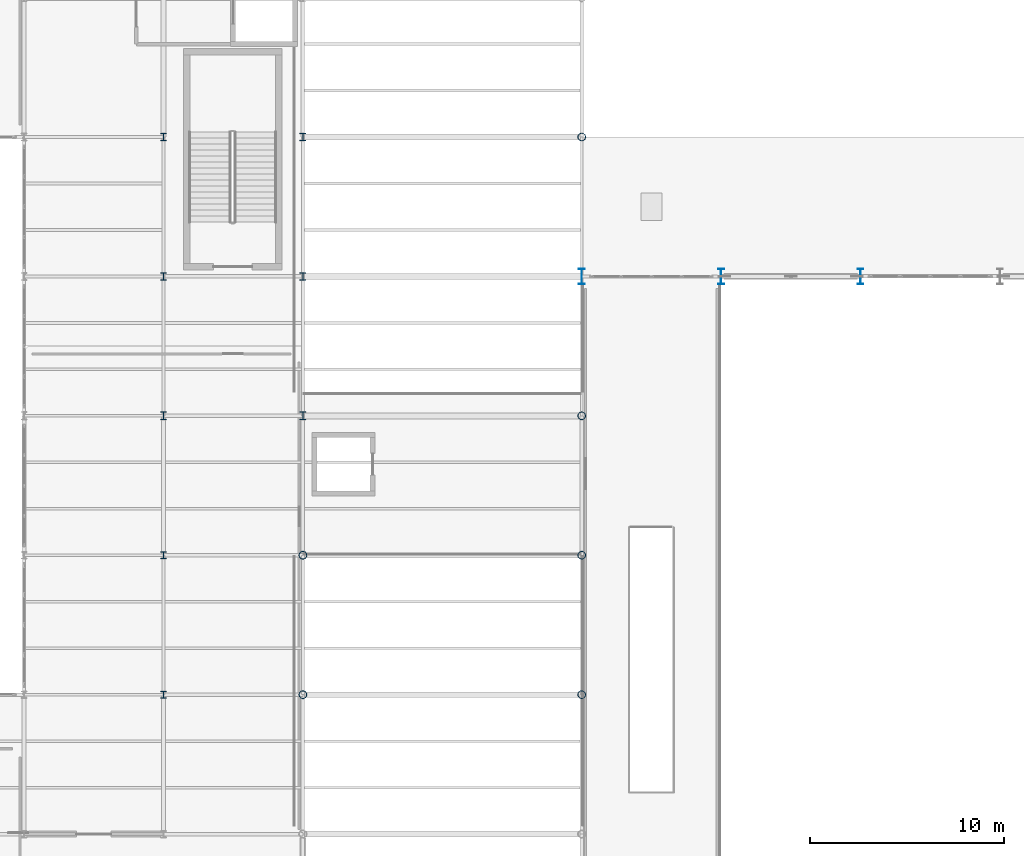
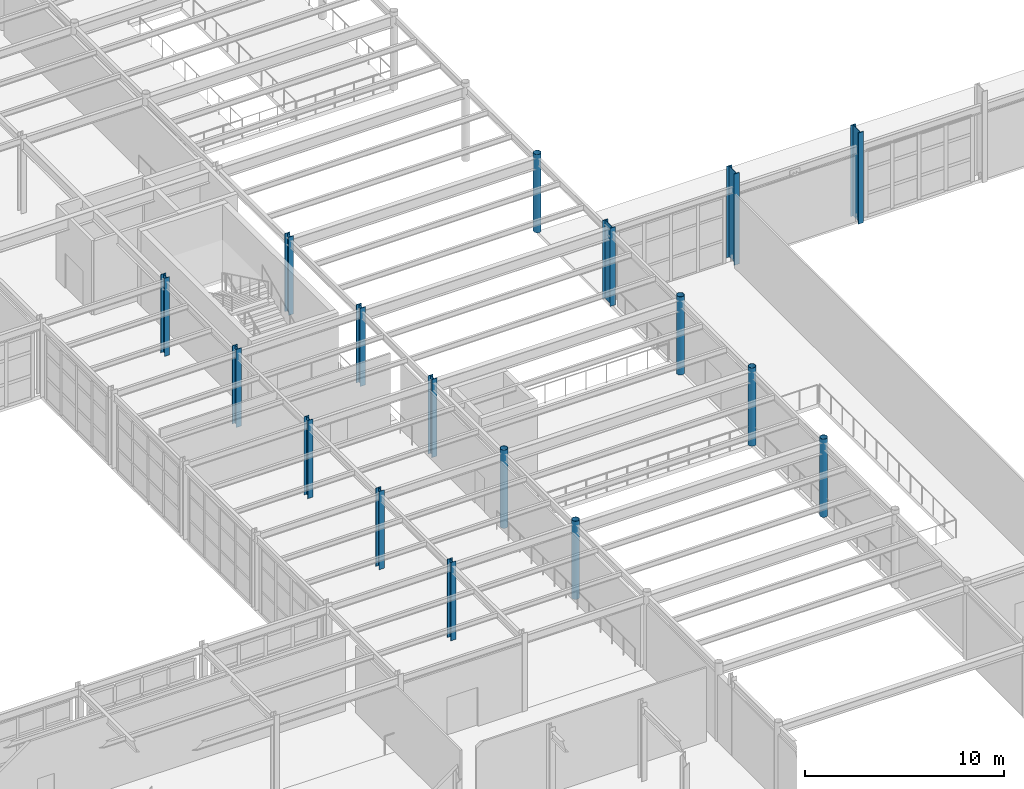
# One storey, part 6 of 126: 17 columns.
"""IFC4 building model written with IfcOpenShell, lengths in metres."""

from ifc_helpers import new_model, si_unit, direction, frame, origin, origin_2d, place, context, subcontext, project, spatial, hollow_circle, i_section, extrude, material, material_profile, profile_set, type_object, element, save


model = new_model("IFC4")

# Units and contexts
model_context = context("Model", 3, precision=1e-05, world=origin(), true_north=direction((0.0, 1.0)))
body_context = subcontext(model_context, "Body", "Model", "MODEL_VIEW")
ifc_project = project(units=[si_unit("LENGTHUNIT", "METRE"), si_unit("AREAUNIT", "SQUARE_METRE"), si_unit("VOLUMEUNIT", "CUBIC_METRE"), si_unit("PLANEANGLEUNIT", "RADIAN"), si_unit("MASSUNIT", "GRAM", prefix="KILO")], contexts=[model_context])

# Site, building, storey
site_placement = place(None, origin())
site = spatial("IfcSite", under=ifc_project, at=site_placement, CompositionType="ELEMENT")
building_placement = place(site_placement, origin())
building = spatial("IfcBuilding", under=site, at=building_placement, Name="Solvadek Multi-Sports Hall", CompositionType="ELEMENT")
storey_placement = place(building_placement, frame((0.0, 0.0, 9.60009765625)))
storey = spatial("IfcBuildingStorey", under=building, at=storey_placement, Name="L02", CompositionType="ELEMENT", Elevation=9.60009765625)

# Columns
ifc_material = material(Name="Steel E350 (350 MPa)", Category="steel")
ifc_material_profile_1 = material_profile(ifc_material, hollow_circle(Radius=0.203125, WallThickness=0.01611328125, at=origin_2d()), Name="CHS 406.4x16")
ifc_profile_set_1 = profile_set([ifc_material_profile_1], Name="Steel E350 (350 MPa)")
column_type_1 = type_object("IfcColumnType", Name="STR-COL-CHS406", PredefinedType="COLUMN", material=ifc_profile_set_1)
for number, where, z_axis, x_axis, name in (
    (1, (72.0, 20.39990234375, 0.0), (0.0, 0.0, 1.0), (1.0, 0.0, 0.0), "L02 Column C-11 #147"),
    (2, (72.0, 27.60009765625, 0.0), (0.0, 0.0, 1.0), (1.0, 0.0, 0.0), "L02 Column C-11 #148"),
    (3, (86.39990234375, 20.39990234375, 0.0), (0.0, 0.0, 1.0), (1.0, 0.0, 0.0), "L02 Column C-11 #177"),
    (4, (86.39990234375, 27.60009765625, 0.0), (0.0, 0.0, 1.0), (1.0, 0.0, 0.0), "L02 Column C-11 #178"),
    (5, (86.39990234375, 34.800048828125, 0.0), (0.0, 0.0, 1.0), (1.0, 0.0, 0.0), "L02 Column C-11 #179"),
    (6, (86.39990234375, 49.199951171875, 0.0), (0.0, 0.0, 1.0), (1.0, 0.0, 0.0), "L02 Column C-11 #181"),
):
    element("IfcColumn", number, at=place(storey_placement, frame(where, z_axis=z_axis, x_axis=x_axis)), inside=storey, type_object=column_type_1, Name=name, PredefinedType="COLUMN", context=body_context, shape_type="SweptSolid", body=[
        extrude(hollow_circle(Radius=0.203125, WallThickness=0.01611328125, at=origin_2d()), origin(), (0.0, 0.0, 1.0), 4.7998046875),
    ])
ifc_material_profile_2 = material_profile(ifc_material, i_section(OverallWidth=0.300048828125, OverallDepth=0.360107421875, WebThickness=0.012451171875, FlangeThickness=0.0224609375, at=origin_2d()), Name="WPB 360")
ifc_profile_set_2 = profile_set([ifc_material_profile_2], Name="Steel E350 (350 MPa)")
column_type_2 = type_object("IfcColumnType", Name="STR-COL-WPB360", PredefinedType="COLUMN", material=ifc_profile_set_2)
for number, where, z_axis, x_axis, name in (
    (7, (64.800048828125, 20.39990234375, 0.0), (0.0, 0.0, 1.0), (1.0, 0.0, 0.0), "L02 Column C-08 #132"),
    (8, (64.800048828125, 27.60009765625, 0.0), (0.0, 0.0, 1.0), (1.0, 0.0, 0.0), "L02 Column C-08 #133"),
):
    element("IfcColumn", number, at=place(storey_placement, frame(where, z_axis=z_axis, x_axis=x_axis)), inside=storey, type_object=column_type_2, Name=name, PredefinedType="COLUMN", context=body_context, shape_type="SweptSolid", body=[
        extrude(i_section(OverallWidth=0.300048828125, OverallDepth=0.360107421875, WebThickness=0.012451171875, FlangeThickness=0.0224609375, at=origin_2d()), origin(), (0.0, 0.0, 1.0), 4.7998046875),
    ])
ifc_material_profile_3 = material_profile(ifc_material, i_section(OverallWidth=0.300048828125, OverallDepth=0.39990234375, WebThickness=0.013427734375, FlangeThickness=0.02392578125, at=origin_2d()), Name="WPB 400")
ifc_profile_set_3 = profile_set([ifc_material_profile_3], Name="Steel E350 (350 MPa)")
column_type_3 = type_object("IfcColumnType", Name="STR-COL-WPB400", PredefinedType="COLUMN", material=ifc_profile_set_3)
for number, where, z_axis, x_axis, name in (
    (9, (64.800048828125, 34.800048828125, 0.0), (0.0, 0.0, 1.0), (1.0, 0.0, 0.0), "L02 Column C-07 #134"),
    (10, (64.800048828125, 42.0, 0.0), (0.0, 0.0, 1.0), (1.0, 0.0, 0.0), "L02 Column C-07 #135"),
    (11, (64.800048828125, 49.199951171875, 0.0), (0.0, 0.0, 1.0), (1.0, 0.0, 0.0), "L02 Column C-07 #136"),
    (12, (72.0, 34.800048828125, 0.0), (0.0, 0.0, 1.0), (1.0, 0.0, 0.0), "L02 Column C-07 #149"),
    (13, (72.0, 42.0, 0.0), (0.0, 0.0, 1.0), (1.0, 0.0, 0.0), "L02 Column C-07 #150"),
    (14, (72.0, 49.199951171875, 0.0), (0.0, 0.0, 1.0), (1.0, 0.0, 0.0), "L02 Column C-07 #151"),
):
    element("IfcColumn", number, at=place(storey_placement, frame(where, z_axis=z_axis, x_axis=x_axis)), inside=storey, type_object=column_type_3, Name=name, PredefinedType="COLUMN", context=body_context, shape_type="SweptSolid", body=[
        extrude(i_section(OverallWidth=0.300048828125, OverallDepth=0.39990234375, WebThickness=0.013427734375, FlangeThickness=0.02392578125, at=origin_2d()), origin(), (0.0, 0.0, 1.0), 4.7998046875),
    ])
ifc_material_profile_4 = material_profile(ifc_material, i_section(OverallWidth=0.300048828125, OverallDepth=0.800048828125, WebThickness=0.017578125, FlangeThickness=0.032958984375, at=origin_2d()), Name="WPB 800")
ifc_profile_set_4 = profile_set([ifc_material_profile_4], Name="Steel E350 (350 MPa)")
column_type_4 = type_object("IfcColumnType", Name="STR-COL-WPB800", PredefinedType="COLUMN", material=ifc_profile_set_4)
column_placement = place(storey_placement, frame((86.39990234375, 42.0, 0.0), z_axis=(0.0, 0.0, 1.0), x_axis=(1.0, 0.0, 0.0)))
element("IfcColumn", 15, at=column_placement, inside=storey, type_object=column_type_4, Name="L02 Column C-01 #180", PredefinedType="COLUMN", context=body_context, shape_type="SweptSolid", body=[
    extrude(i_section(OverallWidth=0.300048828125, OverallDepth=0.800048828125, WebThickness=0.017578125, FlangeThickness=0.032958984375, at=origin_2d()), origin(), (0.0, 0.0, 1.0), 4.7998046875),
])
for number, where, z_axis, x_axis, name in (
    (16, (93.60009765625, 42.0, 0.0), (0.0, 0.0, 1.0), (1.0, 0.0, 0.0), "L02 Column C-01 #195"),
    (17, (100.800048828125, 42.0, 0.0), (0.0, 0.0, 1.0), (1.0, 0.0, 0.0), "L02 Column C-01 #203"),
):
    element("IfcColumn", number, at=place(storey_placement, frame(where, z_axis=z_axis, x_axis=x_axis)), inside=storey, type_object=column_type_4, Name=name, PredefinedType="COLUMN", context=body_context, shape_type="SweptSolid", body=[
        extrude(i_section(OverallWidth=0.300048828125, OverallDepth=0.800048828125, WebThickness=0.017578125, FlangeThickness=0.032958984375, at=origin_2d()), origin(), (0.0, 0.0, 1.0), 5.599853515625),
    ])

save(model, "model.ifc")
